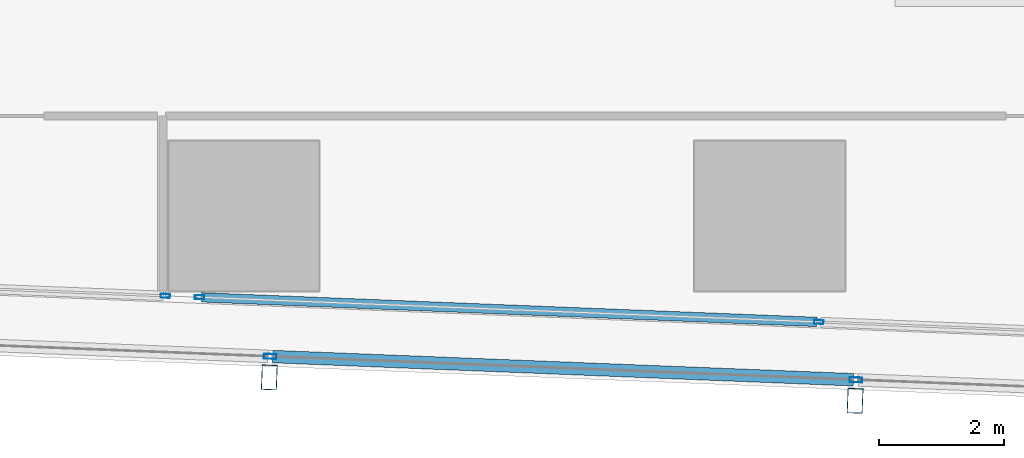
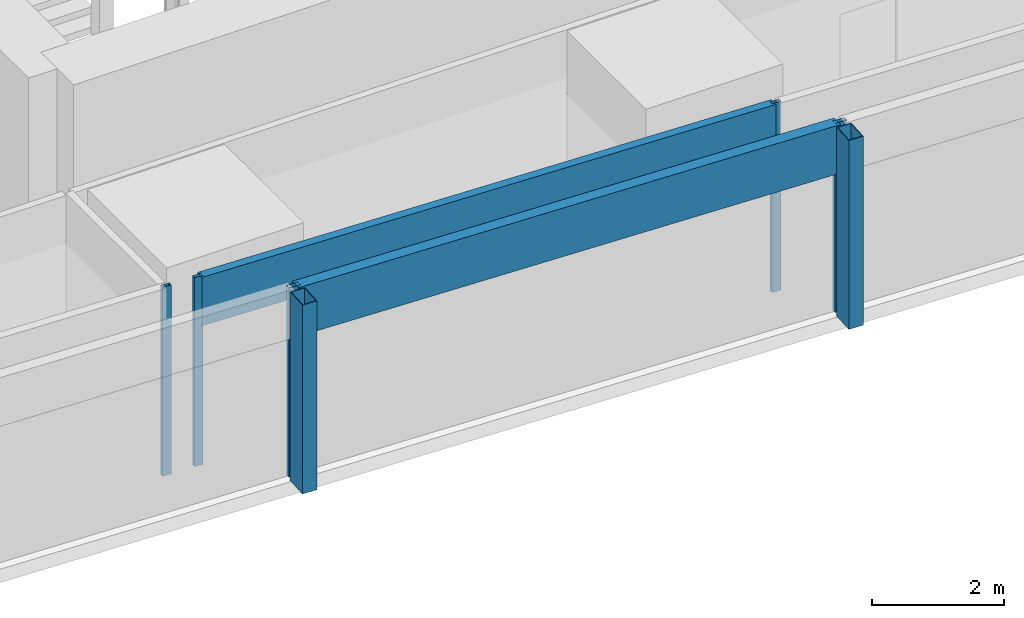
# One storey, part 5 of 37: 9 members, 3 elements without a shape of their own.
"""IFC4 building model written with IfcOpenShell, lengths in metres."""

from ifc_helpers import new_model, si_unit, direction, frame, origin, origin_2d, place, context, subcontext, project, spatial, hollow_rectangle, extrude, material, material_profile, profile_set, type_object, element, aggregate, save


model = new_model("IFC4")

# Units and contexts
model_context = context("Model", 3, precision=1e-05, world=origin(), true_north=direction((0.0, 1.0)))
body_context = subcontext(model_context, "Body", "Model", "MODEL_VIEW")
ifc_project = project(units=[si_unit("LENGTHUNIT", "METRE"), si_unit("AREAUNIT", "SQUARE_METRE"), si_unit("VOLUMEUNIT", "CUBIC_METRE"), si_unit("PLANEANGLEUNIT", "RADIAN"), si_unit("MASSUNIT", "GRAM", prefix="KILO")], contexts=[model_context])

# Site, building, storey
site_placement = place(None, origin())
site = spatial("IfcSite", under=ifc_project, at=site_placement, CompositionType="ELEMENT")
building_placement = place(site_placement, origin())
building = spatial("IfcBuilding", under=site, at=building_placement, Name="Rekha Terrace Tower", CompositionType="ELEMENT")
storey_placement = place(building_placement, frame((0.0, 0.0, 232.699951171875)))
storey = spatial("IfcBuildingStorey", under=building, at=storey_placement, Name="L59", CompositionType="ELEMENT", Elevation=232.699951171875)

# Curtain wall, members
ifc_material_1 = material(Name="Aluminium framing", Category="aluminium")
curtain_wall_type_1 = type_object("IfcCurtainWallType", Name="CW2 double skin outer glazing", PredefinedType="USERDEFINED", material=ifc_material_1)
curtain_wall_1_placement = place(storey_placement, origin())
curtain_wall_1 = element("IfcCurtainWall", 1, at=curtain_wall_1_placement, inside=storey, type_object=curtain_wall_type_1, Name="CW2 double skin outer glazing", ObjectType="DOUBLE SKIN OUTER GLAZING", PredefinedType="USERDEFINED")
ifc_material_2 = material(Name="Steel S355 with fluorocarbon finish", Category="steel")
ifc_material_profile_1 = material_profile(ifc_material_2, hollow_rectangle(XDim=0.25, YDim=0.39990234375, WallThickness=0.012451171875, at=origin_2d()), Name="RHS400x250x12.5")
ifc_profile_set_1 = profile_set([ifc_material_profile_1], Name="Steel S355 with fluorocarbon finish")
member_type_1 = type_object("IfcMemberType", Name="BL1 facade blade RHS 400 x 250", PredefinedType="USERDEFINED", material=ifc_profile_set_1)
member_1_placement = place(storey_placement, frame((25.60498046875, 14.222412109375, 0.0), z_axis=(0.0, 0.0, 1.0), x_axis=(0.999204797763, -0.039871946621, 0.0)))
member_1 = element("IfcMember", 2, at=member_1_placement, type_object=member_type_1, Name="Facade blade", ObjectType="FACADE BLADE", PredefinedType="USERDEFINED", context=body_context, shape_type="SweptSolid", body=[
    extrude(hollow_rectangle(XDim=0.25, YDim=0.39990234375, WallThickness=0.012451171875, at=origin_2d()), origin(), (0.0, 0.0, 1.0), 3.5),
])
member_2_placement = place(storey_placement, frame((34.9638671875, 13.84912109375, 0.0), z_axis=(0.0, 0.0, 1.0), x_axis=(0.999204797763, -0.039871946621, 0.0)))
member_2 = element("IfcMember", 3, at=member_2_placement, type_object=member_type_1, Name="Facade blade", ObjectType="FACADE BLADE", PredefinedType="USERDEFINED", context=body_context, shape_type="SweptSolid", body=[
    extrude(hollow_rectangle(XDim=0.25, YDim=0.39990234375, WallThickness=0.012451171875, at=origin_2d()), origin(), (0.0, 0.0, 1.0), 3.5),
])

# Curtain wall, member
curtain_wall_type_2 = type_object("IfcCurtainWallType", Name="CW1 double skin inner glazing", PredefinedType="USERDEFINED", material=ifc_material_1)
curtain_wall_2_placement = place(storey_placement, origin())
curtain_wall_2 = element("IfcCurtainWall", 4, at=curtain_wall_2_placement, inside=storey, type_object=curtain_wall_type_2, Name="CW1 double skin inner glazing", ObjectType="DOUBLE SKIN INNER GLAZING", PredefinedType="USERDEFINED")
ifc_material_3 = material(Name="Aluminium mullion section", Category="aluminium")
ifc_material_profile_2 = material_profile(ifc_material_3, hollow_rectangle(XDim=0.06494140625, YDim=0.14990234375, WallThickness=0.00390625, at=origin_2d()), Name="AL RHS 65x150")
ifc_profile_set_2 = profile_set([ifc_material_profile_2], Name="Aluminium mullion section")
member_type_2 = type_object("IfcMemberType", Name="CW1 mullion RHS 65 x 150", PredefinedType="MULLION", material=ifc_profile_set_2)
member_3_placement = place(storey_placement, frame((23.94384765625, 15.524658203125, 0.0), z_axis=(0.0, 0.0, 1.0), x_axis=(0.039872497078, 0.999204775798, 0.0)))
member_3 = element("IfcMember", 5, at=member_3_placement, type_object=member_type_2, Name="CW1 mullion 2", PredefinedType="MULLION", context=body_context, shape_type="SweptSolid", body=[
    extrude(hollow_rectangle(XDim=0.06494140625, YDim=0.14990234375, WallThickness=0.00390625, at=origin_2d()), origin(), (0.0, 0.0, 1.0), 3.5),
])
aggregate(curtain_wall_2, [member_3])

# Curtain wall, members
curtain_wall_3_placement = place(storey_placement, origin())
curtain_wall_3 = element("IfcCurtainWall", 6, at=curtain_wall_3_placement, inside=storey, type_object=curtain_wall_type_2, Name="CW1 double skin inner glazing", ObjectType="DOUBLE SKIN INNER GLAZING", PredefinedType="USERDEFINED")
member_4_placement = place(storey_placement, frame((24.489013671875, 15.5029296875, 0.0), z_axis=(0.0, 0.0, 1.0), x_axis=(0.039872497044, 0.999204775799, 0.0)))
member_4 = element("IfcMember", 7, at=member_4_placement, type_object=member_type_2, Name="CW1 mullion 1", PredefinedType="MULLION", context=body_context, shape_type="SweptSolid", body=[
    extrude(hollow_rectangle(XDim=0.06494140625, YDim=0.14990234375, WallThickness=0.00390625, at=origin_2d()), origin(), (0.0, 0.0, 1.0), 3.5),
])
member_5_placement = place(storey_placement, frame((34.38427734375, 15.108154296875, 0.0), z_axis=(0.0, 0.0, 1.0), x_axis=(0.039872497044, 0.999204775799, 0.0)))
member_5 = element("IfcMember", 8, at=member_5_placement, type_object=member_type_2, Name="CW1 mullion 2", PredefinedType="MULLION", context=body_context, shape_type="SweptSolid", body=[
    extrude(hollow_rectangle(XDim=0.06494140625, YDim=0.14990234375, WallThickness=0.00390625, at=origin_2d()), origin(), (0.0, 0.0, 1.0), 3.5),
])
ifc_material_4 = material(Name="Insulated aluminium spandrel box", Category="aluminium")
ifc_material_profile_3 = material_profile(ifc_material_4, hollow_rectangle(XDim=0.14990234375, YDim=0.89990234375, WallThickness=0.0029296875, at=origin_2d()), Name="AL SPANDREL BOX 150x900")
ifc_profile_set_3 = profile_set([ifc_material_profile_3], Name="Insulated aluminium spandrel box")
member_type_3 = type_object("IfcMemberType", Name="CW1 spandrel transom 150 x 900", PredefinedType="USERDEFINED", material=ifc_profile_set_3)
member_6_placement = place(storey_placement, frame((24.521484375, 15.501708984375, 3.050048828125), z_axis=(0.999204522495, -0.039878844347, 0.0), x_axis=(0.039878844347, 0.999204522495, 0.0)))
member_6 = element("IfcMember", 9, at=member_6_placement, type_object=member_type_3, Name="CW1 spandrel transom 1", ObjectType="TRANSOM", PredefinedType="USERDEFINED", context=body_context, shape_type="SweptSolid", body=[
    extrude(hollow_rectangle(XDim=0.14990234375, YDim=0.89990234375, WallThickness=0.0029296875, at=origin_2d()), origin(), (0.0, 0.0, 1.0), 9.838134765625),
])
aggregate(curtain_wall_3, [member_4, member_5, member_6])

# Member
ifc_material_profile_4 = material_profile(ifc_material_3, hollow_rectangle(XDim=0.080078125, YDim=0.199951171875, WallThickness=0.00390625, at=origin_2d()), Name="AL RHS 80x200")
ifc_profile_set_4 = profile_set([ifc_material_profile_4], Name="Aluminium mullion section")
member_type_4 = type_object("IfcMemberType", Name="CW2 mullion RHS 80 x 200", PredefinedType="MULLION", material=ifc_profile_set_4)
member_7_placement = place(storey_placement, frame((25.618408203125, 14.55712890625, 0.0), z_axis=(0.0, 0.0, 1.0), x_axis=(0.039872497044, 0.999204775799, 0.0)))
member_7 = element("IfcMember", 10, at=member_7_placement, type_object=member_type_4, Name="CW2 mullion 3", PredefinedType="MULLION", context=body_context, shape_type="SweptSolid", body=[
    extrude(hollow_rectangle(XDim=0.080078125, YDim=0.199951171875, WallThickness=0.00390625, at=origin_2d()), origin(), (0.0, 0.0, 1.0), 3.5),
])

member_8_placement = place(storey_placement, frame((34.97705078125, 14.183837890625, 0.0), z_axis=(0.0, 0.0, 1.0), x_axis=(0.039872497044, 0.999204775799, 0.0)))
member_8 = element("IfcMember", 11, at=member_8_placement, type_object=member_type_4, Name="CW2 mullion 4", PredefinedType="MULLION", context=body_context, shape_type="SweptSolid", body=[
    extrude(hollow_rectangle(XDim=0.080078125, YDim=0.199951171875, WallThickness=0.00390625, at=origin_2d()), origin(), (0.0, 0.0, 1.0), 3.5),
])

ifc_material_profile_5 = material_profile(ifc_material_4, hollow_rectangle(XDim=0.199951171875, YDim=0.89990234375, WallThickness=0.0029296875, at=origin_2d()), Name="AL SPANDREL BOX 200x900")
ifc_profile_set_5 = profile_set([ifc_material_profile_5], Name="Insulated aluminium spandrel box")
member_type_5 = type_object("IfcMemberType", Name="CW2 spandrel transom 200 x 900", PredefinedType="USERDEFINED", material=ifc_profile_set_5)
member_9_placement = place(storey_placement, frame((25.658447265625, 14.5556640625, 3.050048828125), z_axis=(0.999204356934, -0.039882992408, 0.0), x_axis=(0.039882992408, 0.999204356934, 0.0)))
member_9 = element("IfcMember", 12, at=member_9_placement, type_object=member_type_5, Name="CW2 spandrel transom 3", ObjectType="TRANSOM", PredefinedType="USERDEFINED", context=body_context, shape_type="SweptSolid", body=[
    extrude(hollow_rectangle(XDim=0.199951171875, YDim=0.89990234375, WallThickness=0.0029296875, at=origin_2d()), origin(), (0.0, 0.0, 1.0), 9.2861328125),
])

aggregate(curtain_wall_1, [member_7, member_8, member_9, member_1, member_2])

save(model, "model.ifc")
